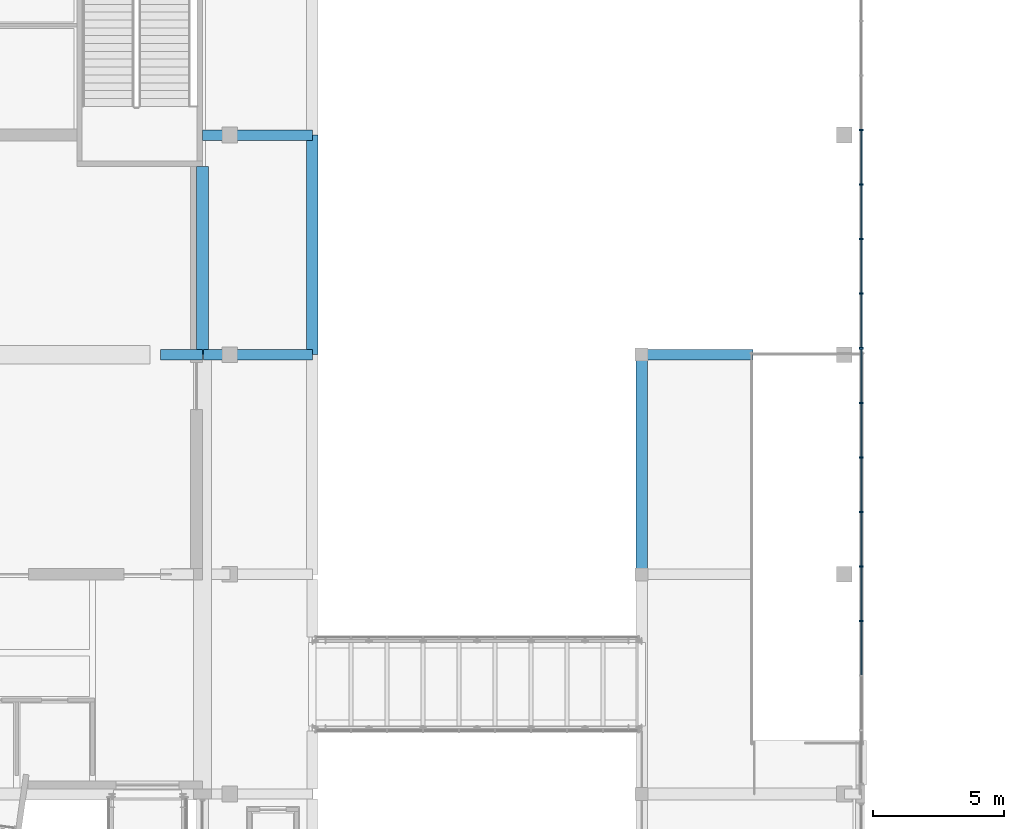
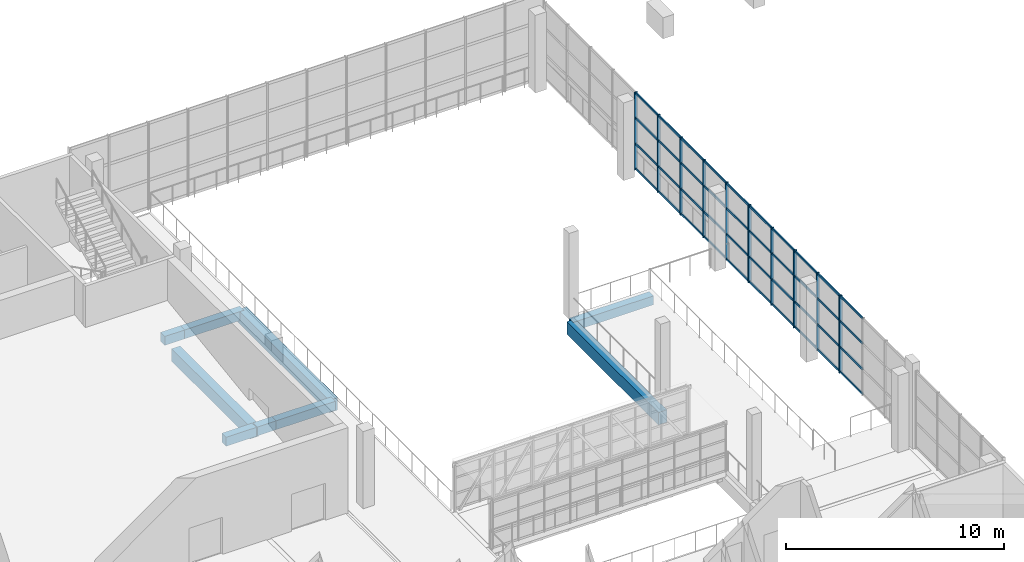
# One storey, part 21 of 67: 50 members, 9 beams, 1 element without a shape of its own.
"""IFC4 building model written with IfcOpenShell, lengths in metres."""

from ifc_helpers import new_model, si_unit, direction, frame, origin, origin_2d, place, context, subcontext, project, spatial, rectangle, extrude, material, layer, layer_set, material_profile, profile_set, type_object, element, aggregate, save


model = new_model("IFC4")

# Units and contexts
model_context = context("Model", 3, precision=1e-05, world=origin(), true_north=direction((0.0, 1.0)))
body_context = subcontext(model_context, "Body", "Model", "MODEL_VIEW")
ifc_project = project(units=[si_unit("LENGTHUNIT", "METRE"), si_unit("AREAUNIT", "SQUARE_METRE"), si_unit("VOLUMEUNIT", "CUBIC_METRE"), si_unit("PLANEANGLEUNIT", "RADIAN"), si_unit("MASSUNIT", "GRAM", prefix="KILO")], contexts=[model_context])

# Site, building, storey
site_placement = place(None, origin())
site = spatial("IfcSite", under=ifc_project, at=site_placement, CompositionType="ELEMENT")
building_placement = place(site_placement, origin())
building = spatial("IfcBuilding", under=site, at=building_placement, Name="Kiln Court Media Centre", CompositionType="ELEMENT")
storey_placement = place(building_placement, frame((0.0, 0.0, 19.800048828125)))
storey = spatial("IfcBuildingStorey", under=building, at=storey_placement, Name="L04", CompositionType="ELEMENT", Elevation=19.800048828125)

# Curtain wall, members
ifc_material_1 = material(Name="Aluminium 6063-T6", Category="aluminium")
ifc_layer = layer(ifc_material_1, 0.1201171875)
ifc_layer_set = layer_set([ifc_layer], Name="Aluminium stick curtain wall, clerestory")
curtain_wall_type = type_object("IfcCurtainWallType", Name="Aluminium stick curtain wall, clerestory", PredefinedType="USERDEFINED", material=ifc_layer_set)
curtain_wall_placement = place(storey_placement, origin())
curtain_wall = element("IfcCurtainWall", 1, at=curtain_wall_placement, inside=storey, type_object=curtain_wall_type, Name="Foyer east clerestory", ObjectType="STICK CURTAIN WALL", PredefinedType="USERDEFINED")
ifc_material_2 = material(Name="Aluminium 6063-T6", Category="aluminium")
ifc_material_profile_1 = material_profile(ifc_material_2, rectangle(XDim=0.06005859375, YDim=0.159912109375, at=origin_2d()), Name="Aluminium hall mullion 60x160")
ifc_profile_set_1 = profile_set([ifc_material_profile_1], Name="Aluminium 6063-T6")
member_type_1 = type_object("IfcMemberType", Name="Aluminium hall mullion 60x160", PredefinedType="MULLION", material=ifc_profile_set_1)
member_1_placement = place(storey_placement, frame((58.800048828125, 40.21142578125, 0.0), z_axis=(0.0, 0.0, 1.0), x_axis=(0.0, 1.0, 0.0)))
member_1 = element("IfcMember", 2, at=member_1_placement, type_object=member_type_1, Name="CW4-63 mullion 4", PredefinedType="MULLION", context=body_context, shape_type="SweptSolid", body=[
    extrude(rectangle(XDim=0.06005859375, YDim=0.159912109375, at=origin_2d()), origin(), (0.0, 0.0, 1.0), 4.349853515625),
])
member_2_placement = place(storey_placement, frame((58.800048828125, 42.298583984375, 0.0), z_axis=(0.0, 0.0, 1.0), x_axis=(0.0, 1.0, 0.0)))
member_2 = element("IfcMember", 3, at=member_2_placement, type_object=member_type_1, Name="CW4-63 mullion 5", PredefinedType="MULLION", context=body_context, shape_type="SweptSolid", body=[
    extrude(rectangle(XDim=0.06005859375, YDim=0.159912109375, at=origin_2d()), origin(), (0.0, 0.0, 1.0), 4.349853515625),
])
member_3_placement = place(storey_placement, frame((58.800048828125, 44.3857421875, 0.0), z_axis=(0.0, 0.0, 1.0), x_axis=(0.0, 1.0, 0.0)))
member_3 = element("IfcMember", 4, at=member_3_placement, type_object=member_type_1, Name="CW4-63 mullion 6", PredefinedType="MULLION", context=body_context, shape_type="SweptSolid", body=[
    extrude(rectangle(XDim=0.06005859375, YDim=0.159912109375, at=origin_2d()), origin(), (0.0, 0.0, 1.0), 4.349853515625),
])
member_4_placement = place(storey_placement, frame((58.800048828125, 46.472900390625, 0.0), z_axis=(0.0, 0.0, 1.0), x_axis=(0.0, 1.0, 0.0)))
member_4 = element("IfcMember", 5, at=member_4_placement, type_object=member_type_1, Name="CW4-63 mullion 7", PredefinedType="MULLION", context=body_context, shape_type="SweptSolid", body=[
    extrude(rectangle(XDim=0.06005859375, YDim=0.159912109375, at=origin_2d()), origin(), (0.0, 0.0, 1.0), 4.349853515625),
])
member_5_placement = place(storey_placement, frame((58.800048828125, 48.56005859375, 0.0), z_axis=(0.0, 0.0, 1.0), x_axis=(0.0, 1.0, 0.0)))
member_5 = element("IfcMember", 6, at=member_5_placement, type_object=member_type_1, Name="CW4-63 mullion 8", PredefinedType="MULLION", context=body_context, shape_type="SweptSolid", body=[
    extrude(rectangle(XDim=0.06005859375, YDim=0.159912109375, at=origin_2d()), origin(), (0.0, 0.0, 1.0), 4.349853515625),
])
member_6_placement = place(storey_placement, frame((58.800048828125, 50.647216796875, 0.0), z_axis=(0.0, 0.0, 1.0), x_axis=(0.0, 1.0, 0.0)))
member_6 = element("IfcMember", 7, at=member_6_placement, type_object=member_type_1, Name="CW4-63 mullion 9", PredefinedType="MULLION", context=body_context, shape_type="SweptSolid", body=[
    extrude(rectangle(XDim=0.06005859375, YDim=0.159912109375, at=origin_2d()), origin(), (0.0, 0.0, 1.0), 4.349853515625),
])
member_7_placement = place(storey_placement, frame((58.800048828125, 52.734375, 0.0), z_axis=(0.0, 0.0, 1.0), x_axis=(0.0, 1.0, 0.0)))
member_7 = element("IfcMember", 8, at=member_7_placement, type_object=member_type_1, Name="CW4-63 mullion 10", PredefinedType="MULLION", context=body_context, shape_type="SweptSolid", body=[
    extrude(rectangle(XDim=0.06005859375, YDim=0.159912109375, at=origin_2d()), origin(), (0.0, 0.0, 1.0), 4.349853515625),
])
member_8_placement = place(storey_placement, frame((58.800048828125, 54.821533203125, 0.0), z_axis=(0.0, 0.0, 1.0), x_axis=(0.0, 1.0, 0.0)))
member_8 = element("IfcMember", 9, at=member_8_placement, type_object=member_type_1, Name="CW4-63 mullion 11", PredefinedType="MULLION", context=body_context, shape_type="SweptSolid", body=[
    extrude(rectangle(XDim=0.06005859375, YDim=0.159912109375, at=origin_2d()), origin(), (0.0, 0.0, 1.0), 4.349853515625),
])
member_9_placement = place(storey_placement, frame((58.800048828125, 56.90869140625, 0.0), z_axis=(0.0, 0.0, 1.0), x_axis=(0.0, 1.0, 0.0)))
member_9 = element("IfcMember", 10, at=member_9_placement, type_object=member_type_1, Name="CW4-63 mullion 12", PredefinedType="MULLION", context=body_context, shape_type="SweptSolid", body=[
    extrude(rectangle(XDim=0.06005859375, YDim=0.159912109375, at=origin_2d()), origin(), (0.0, 0.0, 1.0), 4.349853515625),
])
member_10_placement = place(storey_placement, frame((58.800048828125, 58.995849609375, 0.0), z_axis=(0.0, 0.0, 1.0), x_axis=(0.0, 1.0, 0.0)))
member_10 = element("IfcMember", 11, at=member_10_placement, type_object=member_type_1, Name="CW4-63 mullion 13", PredefinedType="MULLION", context=body_context, shape_type="SweptSolid", body=[
    extrude(rectangle(XDim=0.06005859375, YDim=0.159912109375, at=origin_2d()), origin(), (0.0, 0.0, 1.0), 4.349853515625),
])
ifc_material_3 = material(Name="Aluminium 6063-T6", Category="aluminium")
ifc_material_profile_2 = material_profile(ifc_material_3, rectangle(XDim=0.06005859375, YDim=0.1201171875, at=origin_2d()), Name="Aluminium hall transom 60x120")
ifc_profile_set_2 = profile_set([ifc_material_profile_2], Name="Aluminium 6063-T6")
member_type_2 = type_object("IfcMemberType", Name="Aluminium hall transom 60x120", PredefinedType="USERDEFINED", material=ifc_profile_set_2)
member_11_placement = place(storey_placement, frame((58.800048828125, 38.154296875, 0.06005859375), z_axis=(0.0, 1.0, 0.0), x_axis=(-1.0, 0.0, 0.0)))
member_11 = element("IfcMember", 12, at=member_11_placement, type_object=member_type_2, Name="CW4-63 transom 3.1", ObjectType="TRANSOM", PredefinedType="USERDEFINED", context=body_context, shape_type="SweptSolid", body=[
    extrude(rectangle(XDim=0.06005859375, YDim=0.1201171875, at=origin_2d()), origin(), (0.0, 0.0, 1.0), 2.027099609375),
])
member_12_placement = place(storey_placement, frame((58.800048828125, 38.154296875, 1.449951171875), z_axis=(0.0, 1.0, 0.0), x_axis=(-1.0, 0.0, 0.0)))
member_12 = element("IfcMember", 13, at=member_12_placement, type_object=member_type_2, Name="CW4-63 transom 3.2", ObjectType="TRANSOM", PredefinedType="USERDEFINED", context=body_context, shape_type="SweptSolid", body=[
    extrude(rectangle(XDim=0.06005859375, YDim=0.1201171875, at=origin_2d()), origin(), (0.0, 0.0, 1.0), 2.027099609375),
])
member_13_placement = place(storey_placement, frame((58.800048828125, 38.154296875, 2.89990234375), z_axis=(0.0, 1.0, 0.0), x_axis=(-1.0, 0.0, 0.0)))
member_13 = element("IfcMember", 14, at=member_13_placement, type_object=member_type_2, Name="CW4-63 transom 3.3", ObjectType="TRANSOM", PredefinedType="USERDEFINED", context=body_context, shape_type="SweptSolid", body=[
    extrude(rectangle(XDim=0.06005859375, YDim=0.1201171875, at=origin_2d()), origin(), (0.0, 0.0, 1.0), 2.027099609375),
])
member_14_placement = place(storey_placement, frame((58.800048828125, 38.154296875, 4.2900390625), z_axis=(0.0, 1.0, 0.0), x_axis=(-1.0, 0.0, 0.0)))
member_14 = element("IfcMember", 15, at=member_14_placement, type_object=member_type_2, Name="CW4-63 transom 3.4", ObjectType="TRANSOM", PredefinedType="USERDEFINED", context=body_context, shape_type="SweptSolid", body=[
    extrude(rectangle(XDim=0.06005859375, YDim=0.1201171875, at=origin_2d()), origin(), (0.0, 0.0, 1.0), 2.027099609375),
])
member_15_placement = place(storey_placement, frame((58.800048828125, 40.241455078125, 0.06005859375), z_axis=(0.0, 1.0, 0.0), x_axis=(-1.0, 0.0, 0.0)))
member_15 = element("IfcMember", 16, at=member_15_placement, type_object=member_type_2, Name="CW4-63 transom 4.1", ObjectType="TRANSOM", PredefinedType="USERDEFINED", context=body_context, shape_type="SweptSolid", body=[
    extrude(rectangle(XDim=0.06005859375, YDim=0.1201171875, at=origin_2d()), origin(), (0.0, 0.0, 1.0), 2.027099609375),
])
member_16_placement = place(storey_placement, frame((58.800048828125, 40.241455078125, 1.449951171875), z_axis=(0.0, 1.0, 0.0), x_axis=(-1.0, 0.0, 0.0)))
member_16 = element("IfcMember", 17, at=member_16_placement, type_object=member_type_2, Name="CW4-63 transom 4.2", ObjectType="TRANSOM", PredefinedType="USERDEFINED", context=body_context, shape_type="SweptSolid", body=[
    extrude(rectangle(XDim=0.06005859375, YDim=0.1201171875, at=origin_2d()), origin(), (0.0, 0.0, 1.0), 2.027099609375),
])
member_17_placement = place(storey_placement, frame((58.800048828125, 40.241455078125, 2.89990234375), z_axis=(0.0, 1.0, 0.0), x_axis=(-1.0, 0.0, 0.0)))
member_17 = element("IfcMember", 18, at=member_17_placement, type_object=member_type_2, Name="CW4-63 transom 4.3", ObjectType="TRANSOM", PredefinedType="USERDEFINED", context=body_context, shape_type="SweptSolid", body=[
    extrude(rectangle(XDim=0.06005859375, YDim=0.1201171875, at=origin_2d()), origin(), (0.0, 0.0, 1.0), 2.027099609375),
])
member_18_placement = place(storey_placement, frame((58.800048828125, 40.241455078125, 4.2900390625), z_axis=(0.0, 1.0, 0.0), x_axis=(-1.0, 0.0, 0.0)))
member_18 = element("IfcMember", 19, at=member_18_placement, type_object=member_type_2, Name="CW4-63 transom 4.4", ObjectType="TRANSOM", PredefinedType="USERDEFINED", context=body_context, shape_type="SweptSolid", body=[
    extrude(rectangle(XDim=0.06005859375, YDim=0.1201171875, at=origin_2d()), origin(), (0.0, 0.0, 1.0), 2.027099609375),
])
member_19_placement = place(storey_placement, frame((58.800048828125, 42.32861328125, 0.06005859375), z_axis=(0.0, 1.0, 0.0), x_axis=(-1.0, 0.0, 0.0)))
member_19 = element("IfcMember", 20, at=member_19_placement, type_object=member_type_2, Name="CW4-63 transom 5.1", ObjectType="TRANSOM", PredefinedType="USERDEFINED", context=body_context, shape_type="SweptSolid", body=[
    extrude(rectangle(XDim=0.06005859375, YDim=0.1201171875, at=origin_2d()), origin(), (0.0, 0.0, 1.0), 2.027099609375),
])
member_20_placement = place(storey_placement, frame((58.800048828125, 42.32861328125, 1.449951171875), z_axis=(0.0, 1.0, 0.0), x_axis=(-1.0, 0.0, 0.0)))
member_20 = element("IfcMember", 21, at=member_20_placement, type_object=member_type_2, Name="CW4-63 transom 5.2", ObjectType="TRANSOM", PredefinedType="USERDEFINED", context=body_context, shape_type="SweptSolid", body=[
    extrude(rectangle(XDim=0.06005859375, YDim=0.1201171875, at=origin_2d()), origin(), (0.0, 0.0, 1.0), 2.027099609375),
])
member_21_placement = place(storey_placement, frame((58.800048828125, 42.32861328125, 2.89990234375), z_axis=(0.0, 1.0, 0.0), x_axis=(-1.0, 0.0, 0.0)))
member_21 = element("IfcMember", 22, at=member_21_placement, type_object=member_type_2, Name="CW4-63 transom 5.3", ObjectType="TRANSOM", PredefinedType="USERDEFINED", context=body_context, shape_type="SweptSolid", body=[
    extrude(rectangle(XDim=0.06005859375, YDim=0.1201171875, at=origin_2d()), origin(), (0.0, 0.0, 1.0), 2.027099609375),
])
member_22_placement = place(storey_placement, frame((58.800048828125, 42.32861328125, 4.2900390625), z_axis=(0.0, 1.0, 0.0), x_axis=(-1.0, 0.0, 0.0)))
member_22 = element("IfcMember", 23, at=member_22_placement, type_object=member_type_2, Name="CW4-63 transom 5.4", ObjectType="TRANSOM", PredefinedType="USERDEFINED", context=body_context, shape_type="SweptSolid", body=[
    extrude(rectangle(XDim=0.06005859375, YDim=0.1201171875, at=origin_2d()), origin(), (0.0, 0.0, 1.0), 2.027099609375),
])
member_23_placement = place(storey_placement, frame((58.800048828125, 44.415771484375, 0.06005859375), z_axis=(0.0, 1.0, 0.0), x_axis=(-1.0, 0.0, 0.0)))
member_23 = element("IfcMember", 24, at=member_23_placement, type_object=member_type_2, Name="CW4-63 transom 6.1", ObjectType="TRANSOM", PredefinedType="USERDEFINED", context=body_context, shape_type="SweptSolid", body=[
    extrude(rectangle(XDim=0.06005859375, YDim=0.1201171875, at=origin_2d()), origin(), (0.0, 0.0, 1.0), 2.027099609375),
])
member_24_placement = place(storey_placement, frame((58.800048828125, 44.415771484375, 1.449951171875), z_axis=(0.0, 1.0, 0.0), x_axis=(-1.0, 0.0, 0.0)))
member_24 = element("IfcMember", 25, at=member_24_placement, type_object=member_type_2, Name="CW4-63 transom 6.2", ObjectType="TRANSOM", PredefinedType="USERDEFINED", context=body_context, shape_type="SweptSolid", body=[
    extrude(rectangle(XDim=0.06005859375, YDim=0.1201171875, at=origin_2d()), origin(), (0.0, 0.0, 1.0), 2.027099609375),
])
member_25_placement = place(storey_placement, frame((58.800048828125, 44.415771484375, 2.89990234375), z_axis=(0.0, 1.0, 0.0), x_axis=(-1.0, 0.0, 0.0)))
member_25 = element("IfcMember", 26, at=member_25_placement, type_object=member_type_2, Name="CW4-63 transom 6.3", ObjectType="TRANSOM", PredefinedType="USERDEFINED", context=body_context, shape_type="SweptSolid", body=[
    extrude(rectangle(XDim=0.06005859375, YDim=0.1201171875, at=origin_2d()), origin(), (0.0, 0.0, 1.0), 2.027099609375),
])
member_26_placement = place(storey_placement, frame((58.800048828125, 44.415771484375, 4.2900390625), z_axis=(0.0, 1.0, 0.0), x_axis=(-1.0, 0.0, 0.0)))
member_26 = element("IfcMember", 27, at=member_26_placement, type_object=member_type_2, Name="CW4-63 transom 6.4", ObjectType="TRANSOM", PredefinedType="USERDEFINED", context=body_context, shape_type="SweptSolid", body=[
    extrude(rectangle(XDim=0.06005859375, YDim=0.1201171875, at=origin_2d()), origin(), (0.0, 0.0, 1.0), 2.027099609375),
])
member_27_placement = place(storey_placement, frame((58.800048828125, 46.5029296875, 0.06005859375), z_axis=(0.0, 1.0, 0.0), x_axis=(-1.0, 0.0, 0.0)))
member_27 = element("IfcMember", 28, at=member_27_placement, type_object=member_type_2, Name="CW4-63 transom 7.1", ObjectType="TRANSOM", PredefinedType="USERDEFINED", context=body_context, shape_type="SweptSolid", body=[
    extrude(rectangle(XDim=0.06005859375, YDim=0.1201171875, at=origin_2d()), origin(), (0.0, 0.0, 1.0), 2.027099609375),
])
member_28_placement = place(storey_placement, frame((58.800048828125, 46.5029296875, 1.449951171875), z_axis=(0.0, 1.0, 0.0), x_axis=(-1.0, 0.0, 0.0)))
member_28 = element("IfcMember", 29, at=member_28_placement, type_object=member_type_2, Name="CW4-63 transom 7.2", ObjectType="TRANSOM", PredefinedType="USERDEFINED", context=body_context, shape_type="SweptSolid", body=[
    extrude(rectangle(XDim=0.06005859375, YDim=0.1201171875, at=origin_2d()), origin(), (0.0, 0.0, 1.0), 2.027099609375),
])
member_29_placement = place(storey_placement, frame((58.800048828125, 46.5029296875, 2.89990234375), z_axis=(0.0, 1.0, 0.0), x_axis=(-1.0, 0.0, 0.0)))
member_29 = element("IfcMember", 30, at=member_29_placement, type_object=member_type_2, Name="CW4-63 transom 7.3", ObjectType="TRANSOM", PredefinedType="USERDEFINED", context=body_context, shape_type="SweptSolid", body=[
    extrude(rectangle(XDim=0.06005859375, YDim=0.1201171875, at=origin_2d()), origin(), (0.0, 0.0, 1.0), 2.027099609375),
])
member_30_placement = place(storey_placement, frame((58.800048828125, 46.5029296875, 4.2900390625), z_axis=(0.0, 1.0, 0.0), x_axis=(-1.0, 0.0, 0.0)))
member_30 = element("IfcMember", 31, at=member_30_placement, type_object=member_type_2, Name="CW4-63 transom 7.4", ObjectType="TRANSOM", PredefinedType="USERDEFINED", context=body_context, shape_type="SweptSolid", body=[
    extrude(rectangle(XDim=0.06005859375, YDim=0.1201171875, at=origin_2d()), origin(), (0.0, 0.0, 1.0), 2.027099609375),
])
member_31_placement = place(storey_placement, frame((58.800048828125, 48.590087890625, 0.06005859375), z_axis=(0.0, 1.0, 0.0), x_axis=(-1.0, 0.0, 0.0)))
member_31 = element("IfcMember", 32, at=member_31_placement, type_object=member_type_2, Name="CW4-63 transom 8.1", ObjectType="TRANSOM", PredefinedType="USERDEFINED", context=body_context, shape_type="SweptSolid", body=[
    extrude(rectangle(XDim=0.06005859375, YDim=0.1201171875, at=origin_2d()), origin(), (0.0, 0.0, 1.0), 2.027099609375),
])
member_32_placement = place(storey_placement, frame((58.800048828125, 48.590087890625, 1.449951171875), z_axis=(0.0, 1.0, 0.0), x_axis=(-1.0, 0.0, 0.0)))
member_32 = element("IfcMember", 33, at=member_32_placement, type_object=member_type_2, Name="CW4-63 transom 8.2", ObjectType="TRANSOM", PredefinedType="USERDEFINED", context=body_context, shape_type="SweptSolid", body=[
    extrude(rectangle(XDim=0.06005859375, YDim=0.1201171875, at=origin_2d()), origin(), (0.0, 0.0, 1.0), 2.027099609375),
])
member_33_placement = place(storey_placement, frame((58.800048828125, 48.590087890625, 2.89990234375), z_axis=(0.0, 1.0, 0.0), x_axis=(-1.0, 0.0, 0.0)))
member_33 = element("IfcMember", 34, at=member_33_placement, type_object=member_type_2, Name="CW4-63 transom 8.3", ObjectType="TRANSOM", PredefinedType="USERDEFINED", context=body_context, shape_type="SweptSolid", body=[
    extrude(rectangle(XDim=0.06005859375, YDim=0.1201171875, at=origin_2d()), origin(), (0.0, 0.0, 1.0), 2.027099609375),
])
member_34_placement = place(storey_placement, frame((58.800048828125, 48.590087890625, 4.2900390625), z_axis=(0.0, 1.0, 0.0), x_axis=(-1.0, 0.0, 0.0)))
member_34 = element("IfcMember", 35, at=member_34_placement, type_object=member_type_2, Name="CW4-63 transom 8.4", ObjectType="TRANSOM", PredefinedType="USERDEFINED", context=body_context, shape_type="SweptSolid", body=[
    extrude(rectangle(XDim=0.06005859375, YDim=0.1201171875, at=origin_2d()), origin(), (0.0, 0.0, 1.0), 2.027099609375),
])
member_35_placement = place(storey_placement, frame((58.800048828125, 50.67724609375, 0.06005859375), z_axis=(0.0, 1.0, 0.0), x_axis=(-1.0, 0.0, 0.0)))
member_35 = element("IfcMember", 36, at=member_35_placement, type_object=member_type_2, Name="CW4-63 transom 9.1", ObjectType="TRANSOM", PredefinedType="USERDEFINED", context=body_context, shape_type="SweptSolid", body=[
    extrude(rectangle(XDim=0.06005859375, YDim=0.1201171875, at=origin_2d()), origin(), (0.0, 0.0, 1.0), 2.027099609375),
])
member_36_placement = place(storey_placement, frame((58.800048828125, 50.67724609375, 1.449951171875), z_axis=(0.0, 1.0, 0.0), x_axis=(-1.0, 0.0, 0.0)))
member_36 = element("IfcMember", 37, at=member_36_placement, type_object=member_type_2, Name="CW4-63 transom 9.2", ObjectType="TRANSOM", PredefinedType="USERDEFINED", context=body_context, shape_type="SweptSolid", body=[
    extrude(rectangle(XDim=0.06005859375, YDim=0.1201171875, at=origin_2d()), origin(), (0.0, 0.0, 1.0), 2.027099609375),
])
member_37_placement = place(storey_placement, frame((58.800048828125, 50.67724609375, 2.89990234375), z_axis=(0.0, 1.0, 0.0), x_axis=(-1.0, 0.0, 0.0)))
member_37 = element("IfcMember", 38, at=member_37_placement, type_object=member_type_2, Name="CW4-63 transom 9.3", ObjectType="TRANSOM", PredefinedType="USERDEFINED", context=body_context, shape_type="SweptSolid", body=[
    extrude(rectangle(XDim=0.06005859375, YDim=0.1201171875, at=origin_2d()), origin(), (0.0, 0.0, 1.0), 2.027099609375),
])
member_38_placement = place(storey_placement, frame((58.800048828125, 50.67724609375, 4.2900390625), z_axis=(0.0, 1.0, 0.0), x_axis=(-1.0, 0.0, 0.0)))
member_38 = element("IfcMember", 39, at=member_38_placement, type_object=member_type_2, Name="CW4-63 transom 9.4", ObjectType="TRANSOM", PredefinedType="USERDEFINED", context=body_context, shape_type="SweptSolid", body=[
    extrude(rectangle(XDim=0.06005859375, YDim=0.1201171875, at=origin_2d()), origin(), (0.0, 0.0, 1.0), 2.027099609375),
])
member_39_placement = place(storey_placement, frame((58.800048828125, 52.764404296875, 0.06005859375), z_axis=(0.0, 1.0, 0.0), x_axis=(-1.0, 0.0, 0.0)))
member_39 = element("IfcMember", 40, at=member_39_placement, type_object=member_type_2, Name="CW4-63 transom 10.1", ObjectType="TRANSOM", PredefinedType="USERDEFINED", context=body_context, shape_type="SweptSolid", body=[
    extrude(rectangle(XDim=0.06005859375, YDim=0.1201171875, at=origin_2d()), origin(), (0.0, 0.0, 1.0), 2.027099609375),
])
member_40_placement = place(storey_placement, frame((58.800048828125, 52.764404296875, 1.449951171875), z_axis=(0.0, 1.0, 0.0), x_axis=(-1.0, 0.0, 0.0)))
member_40 = element("IfcMember", 41, at=member_40_placement, type_object=member_type_2, Name="CW4-63 transom 10.2", ObjectType="TRANSOM", PredefinedType="USERDEFINED", context=body_context, shape_type="SweptSolid", body=[
    extrude(rectangle(XDim=0.06005859375, YDim=0.1201171875, at=origin_2d()), origin(), (0.0, 0.0, 1.0), 2.027099609375),
])
member_41_placement = place(storey_placement, frame((58.800048828125, 52.764404296875, 2.89990234375), z_axis=(0.0, 1.0, 0.0), x_axis=(-1.0, 0.0, 0.0)))
member_41 = element("IfcMember", 42, at=member_41_placement, type_object=member_type_2, Name="CW4-63 transom 10.3", ObjectType="TRANSOM", PredefinedType="USERDEFINED", context=body_context, shape_type="SweptSolid", body=[
    extrude(rectangle(XDim=0.06005859375, YDim=0.1201171875, at=origin_2d()), origin(), (0.0, 0.0, 1.0), 2.027099609375),
])
member_42_placement = place(storey_placement, frame((58.800048828125, 52.764404296875, 4.2900390625), z_axis=(0.0, 1.0, 0.0), x_axis=(-1.0, 0.0, 0.0)))
member_42 = element("IfcMember", 43, at=member_42_placement, type_object=member_type_2, Name="CW4-63 transom 10.4", ObjectType="TRANSOM", PredefinedType="USERDEFINED", context=body_context, shape_type="SweptSolid", body=[
    extrude(rectangle(XDim=0.06005859375, YDim=0.1201171875, at=origin_2d()), origin(), (0.0, 0.0, 1.0), 2.027099609375),
])
member_43_placement = place(storey_placement, frame((58.800048828125, 54.8515625, 0.06005859375), z_axis=(0.0, 1.0, 0.0), x_axis=(-1.0, 0.0, 0.0)))
member_43 = element("IfcMember", 44, at=member_43_placement, type_object=member_type_2, Name="CW4-63 transom 11.1", ObjectType="TRANSOM", PredefinedType="USERDEFINED", context=body_context, shape_type="SweptSolid", body=[
    extrude(rectangle(XDim=0.06005859375, YDim=0.1201171875, at=origin_2d()), origin(), (0.0, 0.0, 1.0), 2.027099609375),
])
member_44_placement = place(storey_placement, frame((58.800048828125, 54.8515625, 1.449951171875), z_axis=(0.0, 1.0, 0.0), x_axis=(-1.0, 0.0, 0.0)))
member_44 = element("IfcMember", 45, at=member_44_placement, type_object=member_type_2, Name="CW4-63 transom 11.2", ObjectType="TRANSOM", PredefinedType="USERDEFINED", context=body_context, shape_type="SweptSolid", body=[
    extrude(rectangle(XDim=0.06005859375, YDim=0.1201171875, at=origin_2d()), origin(), (0.0, 0.0, 1.0), 2.027099609375),
])
member_45_placement = place(storey_placement, frame((58.800048828125, 54.8515625, 2.89990234375), z_axis=(0.0, 1.0, 0.0), x_axis=(-1.0, 0.0, 0.0)))
member_45 = element("IfcMember", 46, at=member_45_placement, type_object=member_type_2, Name="CW4-63 transom 11.3", ObjectType="TRANSOM", PredefinedType="USERDEFINED", context=body_context, shape_type="SweptSolid", body=[
    extrude(rectangle(XDim=0.06005859375, YDim=0.1201171875, at=origin_2d()), origin(), (0.0, 0.0, 1.0), 2.027099609375),
])
member_46_placement = place(storey_placement, frame((58.800048828125, 54.8515625, 4.2900390625), z_axis=(0.0, 1.0, 0.0), x_axis=(-1.0, 0.0, 0.0)))
member_46 = element("IfcMember", 47, at=member_46_placement, type_object=member_type_2, Name="CW4-63 transom 11.4", ObjectType="TRANSOM", PredefinedType="USERDEFINED", context=body_context, shape_type="SweptSolid", body=[
    extrude(rectangle(XDim=0.06005859375, YDim=0.1201171875, at=origin_2d()), origin(), (0.0, 0.0, 1.0), 2.027099609375),
])
member_47_placement = place(storey_placement, frame((58.800048828125, 56.938720703125, 0.06005859375), z_axis=(0.0, 1.0, 0.0), x_axis=(-1.0, 0.0, 0.0)))
member_47 = element("IfcMember", 48, at=member_47_placement, type_object=member_type_2, Name="CW4-63 transom 12.1", ObjectType="TRANSOM", PredefinedType="USERDEFINED", context=body_context, shape_type="SweptSolid", body=[
    extrude(rectangle(XDim=0.06005859375, YDim=0.1201171875, at=origin_2d()), origin(), (0.0, 0.0, 1.0), 2.027099609375),
])
member_48_placement = place(storey_placement, frame((58.800048828125, 56.938720703125, 1.449951171875), z_axis=(0.0, 1.0, 0.0), x_axis=(-1.0, 0.0, 0.0)))
member_48 = element("IfcMember", 49, at=member_48_placement, type_object=member_type_2, Name="CW4-63 transom 12.2", ObjectType="TRANSOM", PredefinedType="USERDEFINED", context=body_context, shape_type="SweptSolid", body=[
    extrude(rectangle(XDim=0.06005859375, YDim=0.1201171875, at=origin_2d()), origin(), (0.0, 0.0, 1.0), 2.027099609375),
])
member_49_placement = place(storey_placement, frame((58.800048828125, 56.938720703125, 2.89990234375), z_axis=(0.0, 1.0, 0.0), x_axis=(-1.0, 0.0, 0.0)))
member_49 = element("IfcMember", 50, at=member_49_placement, type_object=member_type_2, Name="CW4-63 transom 12.3", ObjectType="TRANSOM", PredefinedType="USERDEFINED", context=body_context, shape_type="SweptSolid", body=[
    extrude(rectangle(XDim=0.06005859375, YDim=0.1201171875, at=origin_2d()), origin(), (0.0, 0.0, 1.0), 2.027099609375),
])
member_50_placement = place(storey_placement, frame((58.800048828125, 56.938720703125, 4.2900390625), z_axis=(0.0, 1.0, 0.0), x_axis=(-1.0, 0.0, 0.0)))
member_50 = element("IfcMember", 51, at=member_50_placement, type_object=member_type_2, Name="CW4-63 transom 12.4", ObjectType="TRANSOM", PredefinedType="USERDEFINED", context=body_context, shape_type="SweptSolid", body=[
    extrude(rectangle(XDim=0.06005859375, YDim=0.1201171875, at=origin_2d()), origin(), (0.0, 0.0, 1.0), 2.027099609375),
])
aggregate(curtain_wall, [member_1, member_2, member_3, member_4, member_5, member_6, member_7, member_8, member_9, member_10, member_11, member_12, member_13, member_14, member_15, member_16, member_17, member_18, member_19, member_20, member_21, member_22, member_23, member_24, member_25, member_26, member_27, member_28, member_29, member_30, member_31, member_32, member_33, member_34, member_35, member_36, member_37, member_38, member_39, member_40, member_41, member_42, member_43, member_44, member_45, member_46, member_47, member_48, member_49, member_50])

# Beams
ifc_material_4 = material(Name="Concrete C30/37", Category="concrete")
ifc_material_profile_3 = material_profile(ifc_material_4, rectangle(XDim=0.39990234375, YDim=0.5, at=origin_2d()), Name="RC 400x500")
ifc_profile_set_3 = profile_set([ifc_material_profile_3], Name="Concrete C30/37")
beam_type_1 = type_object("IfcBeamType", Name="Concrete C30/37 beam 400x500", PredefinedType="BEAM", material=ifc_profile_set_3)
beam_1_placement = place(storey_placement, frame((32.0, 50.39990234375, -0.550048828125), z_axis=(1.0, 0.0, 0.0), x_axis=(0.0, 1.0, 0.0)))
element("IfcBeam", 52, at=beam_1_placement, inside=storey, type_object=beam_type_1, Name="L04-B-1078", PredefinedType="BEAM", context=body_context, shape_type="SweptSolid", body=[
    extrude(rectangle(XDim=0.39990234375, YDim=0.5, at=origin_2d()), origin(), (0.0, 0.0, 1.0), 1.60009765625),
])
beam_2_placement = place(storey_placement, frame((33.64990234375, 50.39990234375, -0.550048828125), z_axis=(1.0, 0.0, 0.0), x_axis=(0.0, 1.0, 0.0)))
element("IfcBeam", 53, at=beam_2_placement, inside=storey, type_object=beam_type_1, Name="L04-B-1101", PredefinedType="BEAM", context=body_context, shape_type="SweptSolid", body=[
    extrude(rectangle(XDim=0.39990234375, YDim=0.5, at=origin_2d()), origin(), (0.0, 0.0, 1.0), 1.0),
])
beam_3_placement = place(storey_placement, frame((34.64990234375, 50.39990234375, -0.550048828125), z_axis=(1.0, 0.0, 0.0), x_axis=(0.0, 1.0, 0.0)))
element("IfcBeam", 54, at=beam_3_placement, inside=storey, type_object=beam_type_1, Name="L04-B-1102", PredefinedType="BEAM", context=body_context, shape_type="SweptSolid", body=[
    extrude(rectangle(XDim=0.39990234375, YDim=0.5, at=origin_2d()), origin(), (0.0, 0.0, 1.0), 3.151123046875),
])
beam_4_placement = place(storey_placement, frame((50.39990234375, 50.39990234375, -0.550048828125), z_axis=(1.0, 0.0, 0.0), x_axis=(0.0, 1.0, 0.0)))
element("IfcBeam", 55, at=beam_4_placement, inside=storey, type_object=beam_type_1, Name="L04-B-1103", PredefinedType="BEAM", context=body_context, shape_type="SweptSolid", body=[
    extrude(rectangle(XDim=0.39990234375, YDim=0.5, at=origin_2d()), origin(), (0.0, 0.0, 1.0), 4.2509765625),
])
beam_5_placement = place(storey_placement, frame((33.60009765625, 58.800048828125, -0.550048828125), z_axis=(1.0, 0.0, 0.0), x_axis=(0.0, 1.0, 0.0)))
element("IfcBeam", 56, at=beam_5_placement, inside=storey, type_object=beam_type_1, Name="L04-B-1104", PredefinedType="BEAM", context=body_context, shape_type="SweptSolid", body=[
    extrude(rectangle(XDim=0.39990234375, YDim=0.5, at=origin_2d()), origin(), (0.0, 0.0, 1.0), 1.0498046875),
])
beam_6_placement = place(storey_placement, frame((34.64990234375, 58.800048828125, -0.550048828125), z_axis=(1.0, 0.0, 0.0), x_axis=(0.0, 1.0, 0.0)))
element("IfcBeam", 57, at=beam_6_placement, inside=storey, type_object=beam_type_1, Name="L04-B-1105", PredefinedType="BEAM", context=body_context, shape_type="SweptSolid", body=[
    extrude(rectangle(XDim=0.39990234375, YDim=0.5, at=origin_2d()), origin(), (0.0, 0.0, 1.0), 3.151123046875),
])
ifc_material_5 = material(Name="Concrete C30/37", Category="concrete")
ifc_material_profile_4 = material_profile(ifc_material_5, rectangle(XDim=0.449951171875, YDim=0.699951171875, at=origin_2d()), Name="RC 450x700")
ifc_profile_set_4 = profile_set([ifc_material_profile_4], Name="Concrete C30/37")
beam_type_2 = type_object("IfcBeamType", Name="Concrete C30/37 beam 450x700", PredefinedType="BEAM", material=ifc_profile_set_4)
beam_7_placement = place(storey_placement, frame((33.60009765625, 50.39990234375, -0.650146484375), z_axis=(0.0, 1.0, 0.0), x_axis=(-1.0, 0.0, 0.0)))
element("IfcBeam", 58, at=beam_7_placement, inside=storey, type_object=beam_type_2, Name="L04-B-1068", PredefinedType="BEAM", context=body_context, shape_type="SweptSolid", body=[
    extrude(rectangle(XDim=0.449951171875, YDim=0.699951171875, at=origin_2d()), origin(), (0.0, 0.0, 1.0), 7.2001953125),
])
beam_8_placement = place(storey_placement, frame((50.39990234375, 42.0, -0.650146484375), z_axis=(0.0, 1.0, 0.0), x_axis=(-1.0, 0.0, 0.0)))
element("IfcBeam", 59, at=beam_8_placement, inside=storey, type_object=beam_type_2, Name="L04-B-1087", PredefinedType="BEAM", context=body_context, shape_type="SweptSolid", body=[
    extrude(rectangle(XDim=0.449951171875, YDim=0.699951171875, at=origin_2d()), origin(), (0.0, 0.0, 1.0), 8.39990234375),
])
beam_9_placement = place(storey_placement, frame((37.800048828125, 58.800048828125, -0.650146484375), z_axis=(0.0, -1.0, 0.0), x_axis=(1.0, 0.0, 0.0)))
element("IfcBeam", 60, at=beam_9_placement, inside=storey, type_object=beam_type_2, Name="L04-B-1109", PredefinedType="BEAM", context=body_context, shape_type="SweptSolid", body=[
    extrude(rectangle(XDim=0.449951171875, YDim=0.699951171875, at=origin_2d()), origin(), (0.0, 0.0, 1.0), 8.400146484375),
])

save(model, "model.ifc")
